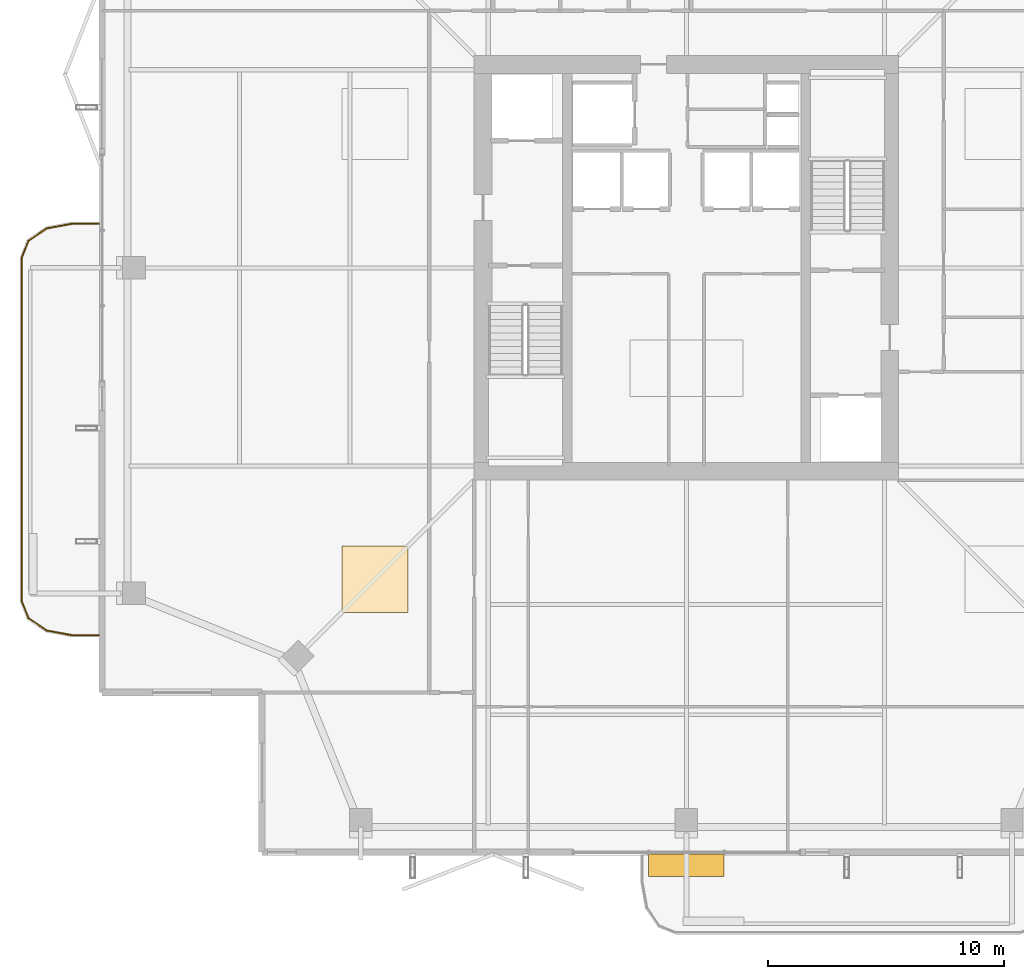
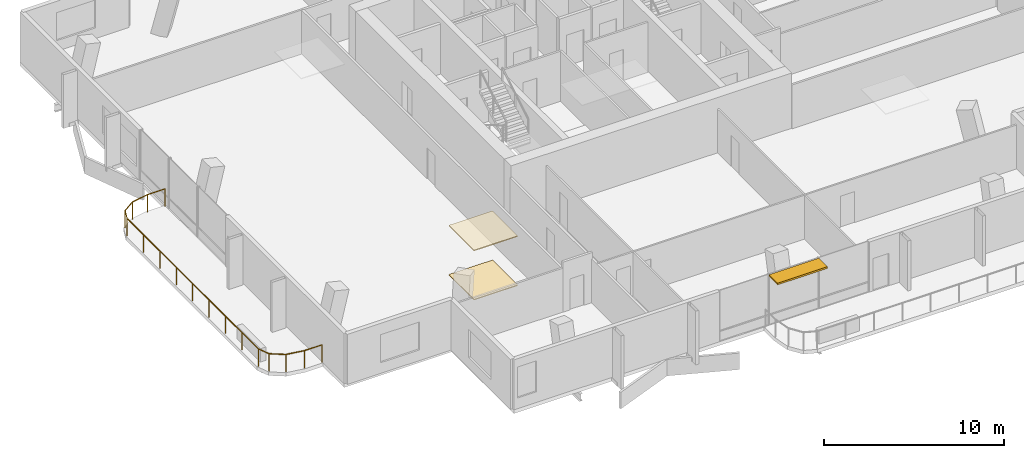
# One storey, part 22 of 25: 2 coverings, 1 railing, 1 shading device.
"""IFC4 building model written with IfcOpenShell, lengths in metres."""

from ifc_helpers import new_model, si_unit, direction, frame, origin, origin_2d, place, context, subcontext, project, spatial, polyline, rectangle, outline, extrude, material, layer, layer_set, type_object, element, save


model = new_model("IFC4")

# Units and contexts
model_context = context("Model", 3, precision=1e-05, world=origin(), true_north=direction((0.0, 1.0)))
body_context = subcontext(model_context, "Body", "Model", "MODEL_VIEW")
ifc_project = project(units=[si_unit("LENGTHUNIT", "METRE"), si_unit("AREAUNIT", "SQUARE_METRE"), si_unit("VOLUMEUNIT", "CUBIC_METRE"), si_unit("PLANEANGLEUNIT", "RADIAN"), si_unit("MASSUNIT", "GRAM", prefix="KILO")], contexts=[model_context])

# Site, building, storey
site_placement = place(None, origin())
site = spatial("IfcSite", under=ifc_project, at=site_placement, CompositionType="ELEMENT")
building_placement = place(site_placement, origin())
building = spatial("IfcBuilding", under=site, at=building_placement, Name="Belovzor Exchange Tower", CompositionType="ELEMENT")
storey_placement = place(building_placement, frame((0.0, 0.0, 280.35009765625)))
storey = spatial("IfcBuildingStorey", under=building, at=storey_placement, Name="L70", CompositionType="ELEMENT", Elevation=280.35009765625)

# Railing
ifc_material_1 = material(Name="Stainless Steel and Laminated Safety Glass", Category="steel")
railing_type = type_object("IfcRailingType", Name="Laminated Glass & Stainless Steel Balcony Balustrade 1200", PredefinedType="BALUSTRADE", material=ifc_material_1)
railing_placement = place(storey_placement, frame((3.889892578125, 30.669921875, 0.0)))
element("IfcRailing", 1, at=railing_placement, inside=storey, type_object=railing_type, Name="GR-1 Balcony Balustrade L70 West", PredefinedType="BALUSTRADE", context=body_context, shape_type="SweptSolid", body=[
    extrude(rectangle(XDim=0.048095703125, YDim=0.048095703125, at=origin_2d()), frame((0.0, 0.0, 1.17578125), z_axis=(-1.0, 0.0, 0.0), x_axis=(0.0, -1.0, 0.0)), (0.0, 0.0, 1.0), 1.1328125),
    extrude(rectangle(XDim=0.048095703125, YDim=0.048095703125, at=origin_2d()), frame((-1.1328125, 0.0, 1.17578125), z_axis=(-0.983651385113, -0.180083182347, 0.0), x_axis=(0.180083182347, -0.983651385113, 0.0)), (0.0, 0.0, 1.0), 1.093994140625),
    extrude(rectangle(XDim=0.048095703125, YDim=0.048095703125, at=origin_2d()), frame((-2.208984375, -0.197021484375, 1.17578125), z_axis=(-0.826614792125, -0.562768145367, 0.0), x_axis=(0.562768145367, -0.826614792125, 0.0)), (0.0, 0.0, 1.0), 0.9326171875),
    extrude(rectangle(XDim=0.048095703125, YDim=0.048095703125, at=origin_2d()), frame((-2.97998046875, -0.721923828125, 1.17578125), z_axis=(-0.365612923861, -0.930766990125, 0.0), x_axis=(0.930766990125, -0.365612923861, 0.0)), (0.0, 0.0, 1.0), 0.765869140625),
    extrude(rectangle(XDim=0.048095703125, YDim=0.048095703125, at=origin_2d()), frame((-3.260009765625, -1.434814453125, 1.17578125), z_axis=(0.0, -1.0, 0.0), x_axis=(1.0, 0.0, 0.0)), (0.0, 0.0, 1.0), 14.570068359375),
    extrude(rectangle(XDim=0.048095703125, YDim=0.048095703125, at=origin_2d()), frame((-3.260009765625, -16.0048828125, 1.17578125), z_axis=(0.365504480807, -0.930809580156, 0.0), x_axis=(0.930809580156, 0.365504480807, 0.0)), (0.0, 0.0, 1.0), 0.76611328125),
    extrude(rectangle(XDim=0.048095703125, YDim=0.048095703125, at=origin_2d()), frame((-2.97998046875, -16.718017578125, 1.17578125), z_axis=(0.826614792125, -0.562768145367, 0.0), x_axis=(0.562768145367, 0.826614792125, 0.0)), (0.0, 0.0, 1.0), 0.9326171875),
    extrude(rectangle(XDim=0.048095703125, YDim=0.048095703125, at=origin_2d()), frame((-2.208984375, -17.242919921875, 1.17578125), z_axis=(0.983651385113, -0.180083182347, 0.0), x_axis=(0.180083182347, 0.983651385113, 0.0)), (0.0, 0.0, 1.0), 1.093994140625),
    extrude(rectangle(XDim=0.048095703125, YDim=0.048095703125, at=origin_2d()), frame((-1.1328125, -17.43994140625, 1.17578125), z_axis=(1.0, 0.0, 0.0), x_axis=(0.0, 1.0, 0.0)), (0.0, 0.0, 1.0), 1.1328125),
    extrude(rectangle(XDim=0.0419921875, YDim=0.0419921875, at=origin_2d()), origin(), (0.0, 0.0, 1.0), 1.15185546875),
    extrude(rectangle(XDim=0.0419921875, YDim=0.0419921875, at=origin_2d()), frame((-1.1328125, 0.0, 0.0)), (0.0, 0.0, 1.0), 1.15185546875),
    extrude(rectangle(XDim=0.0419921875, YDim=0.0419921875, at=origin_2d()), frame((-2.208984375, -0.197021484375, 0.0)), (0.0, 0.0, 1.0), 1.15185546875),
    extrude(rectangle(XDim=0.0419921875, YDim=0.0419921875, at=origin_2d()), frame((-2.97998046875, -0.721923828125, 0.0)), (0.0, 0.0, 1.0), 1.15185546875),
    extrude(rectangle(XDim=0.0419921875, YDim=0.0419921875, at=origin_2d()), frame((-3.260009765625, -1.434814453125, 0.0)), (0.0, 0.0, 1.0), 1.15185546875),
    extrude(rectangle(XDim=0.0419921875, YDim=0.0419921875, at=origin_2d()), frame((-3.260009765625, -3.256103515625, 0.0)), (0.0, 0.0, 1.0), 1.15185546875),
    extrude(rectangle(XDim=0.0419921875, YDim=0.0419921875, at=origin_2d()), frame((-3.260009765625, -5.077392578125, 0.0)), (0.0, 0.0, 1.0), 1.15185546875),
    extrude(rectangle(XDim=0.0419921875, YDim=0.0419921875, at=origin_2d()), frame((-3.260009765625, -6.898681640625, 0.0)), (0.0, 0.0, 1.0), 1.15185546875),
    extrude(rectangle(XDim=0.0419921875, YDim=0.0419921875, at=origin_2d()), frame((-3.260009765625, -8.7197265625, 0.0)), (0.0, 0.0, 1.0), 1.15185546875),
    extrude(rectangle(XDim=0.0419921875, YDim=0.0419921875, at=origin_2d()), frame((-3.260009765625, -10.541015625, 0.0)), (0.0, 0.0, 1.0), 1.15185546875),
    extrude(rectangle(XDim=0.0419921875, YDim=0.0419921875, at=origin_2d()), frame((-3.260009765625, -12.3623046875, 0.0)), (0.0, 0.0, 1.0), 1.15185546875),
    extrude(rectangle(XDim=0.0419921875, YDim=0.0419921875, at=origin_2d()), frame((-3.260009765625, -14.18359375, 0.0)), (0.0, 0.0, 1.0), 1.15185546875),
    extrude(rectangle(XDim=0.0419921875, YDim=0.0419921875, at=origin_2d()), frame((-3.260009765625, -16.0048828125, 0.0)), (0.0, 0.0, 1.0), 1.15185546875),
    extrude(rectangle(XDim=0.0419921875, YDim=0.0419921875, at=origin_2d()), frame((-2.97998046875, -16.718017578125, 0.0)), (0.0, 0.0, 1.0), 1.15185546875),
    extrude(rectangle(XDim=0.0419921875, YDim=0.0419921875, at=origin_2d()), frame((-2.208984375, -17.242919921875, 0.0)), (0.0, 0.0, 1.0), 1.15185546875),
    extrude(rectangle(XDim=0.0419921875, YDim=0.0419921875, at=origin_2d()), frame((-1.1328125, -17.43994140625, 0.0)), (0.0, 0.0, 1.0), 1.15185546875),
    extrude(rectangle(XDim=0.0419921875, YDim=0.0419921875, at=origin_2d()), frame((0.0, -17.43994140625, 0.0)), (0.0, 0.0, 1.0), 1.15185546875),
])

# Coverings
ifc_material_2 = material(Name="Perforated Powder-Coated Aluminium", Category="aluminium")
ifc_layer_1 = layer(ifc_material_2, 0.06005859375)
ifc_layer_set_1 = layer_set([ifc_layer_1], Name="Perforated Powder-Coated Aluminium")
covering_type_1 = type_object("IfcCoveringType", Name="Perforated Acoustic Metal Tile Suspended Ceiling 60", PredefinedType="CEILING", material=ifc_layer_set_1)
covering_1_placement = place(storey_placement, frame((0.0, 0.0, 3.329833984375)))
element("IfcCovering", 2, at=covering_1_placement, inside=storey, type_object=covering_type_1, Name="CLG-AC60 Suspended Ceiling CLG-L70-Z0", PredefinedType="CEILING", context=body_context, shape_type="SweptSolid", body=[
    extrude(outline(polyline([(14.199951171875, 14.199951171875), (17.0, 14.199951171875), (17.0, 17.0), (14.199951171875, 17.0), (14.199951171875, 14.199951171875)])), origin(), (0.0, 0.0, 1.0), 0.06005859375),
])
ifc_material_3 = material(Name="Polished Natural Granite Tile", Category="masonry")
ifc_layer_2 = layer(ifc_material_3, 0.050048828125)
ifc_layer_set_2 = layer_set([ifc_layer_2], Name="Polished Natural Granite Tile")
covering_type_2 = type_object("IfcCoveringType", Name="Polished Karelian Granite & Raised Access Floor Finish 50", PredefinedType="FLOORING", material=ifc_layer_set_2)
covering_2_placement = place(storey_placement, origin())
element("IfcCovering", 3, at=covering_2_placement, inside=storey, type_object=covering_type_2, Name="FLR-GR50 Floor Finish FLR-L70-Z0", PredefinedType="FLOORING", context=body_context, shape_type="SweptSolid", body=[
    extrude(outline(polyline([(14.199951171875, 14.199951171875), (17.0, 14.199951171875), (17.0, 17.0), (14.199951171875, 17.0), (14.199951171875, 14.199951171875)])), origin(), (0.0, 0.0, 1.0), 0.0498046875),
])

# Shading device
ifc_material_4 = material(Name="Extruded Architectural Terracotta", Category="masonry")
ifc_layer_3 = layer(ifc_material_4, 0.1201171875)
ifc_layer_set_3 = layer_set([ifc_layer_3], Name="Extruded Architectural Terracotta")
shading_device_type = type_object("IfcShadingDeviceType", Name="Streamline Terracotta Horizontal Sunshade Hood 950", PredefinedType="AWNING", material=ifc_layer_set_3)
shading_device_placement = place(storey_placement, frame((28.800048828125, 3.485107421875, 3.269775390625), z_axis=(0.0, 0.0, 1.0), x_axis=(1.0, 0.0, 0.0)))
element("IfcShadingDevice", 4, at=shading_device_placement, inside=storey, type_object=shading_device_type, Name="SHD-TC095 Terracotta Sunshade L70 S", PredefinedType="AWNING", context=body_context, shape_type="SweptSolid", body=[
    extrude(rectangle(XDim=3.199951171875, YDim=0.949951171875, at=origin_2d()), origin(), (0.0, 0.0, 1.0), 0.1201171875),
])

save(model, "model.ifc")
